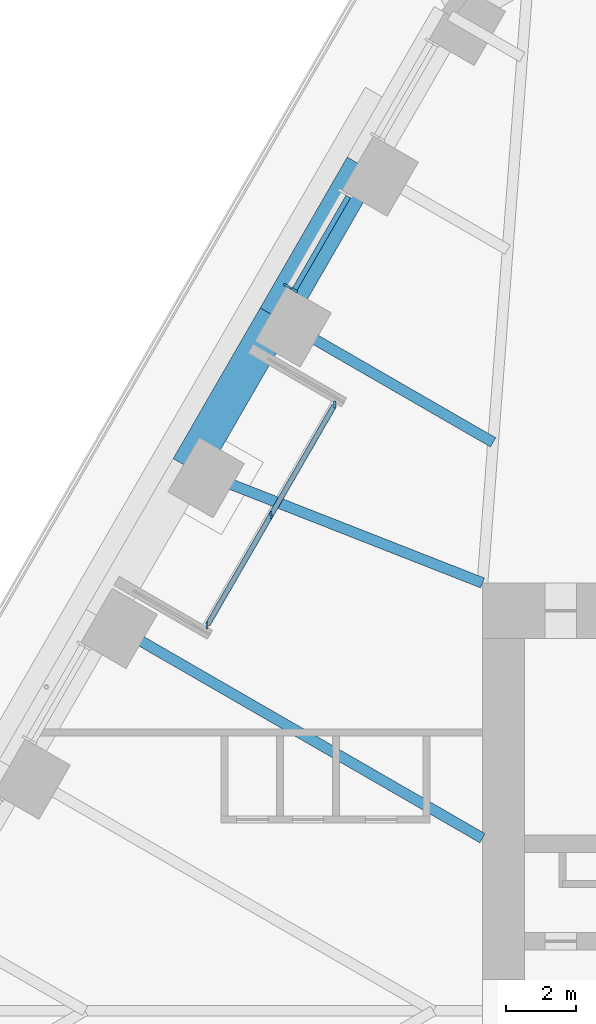
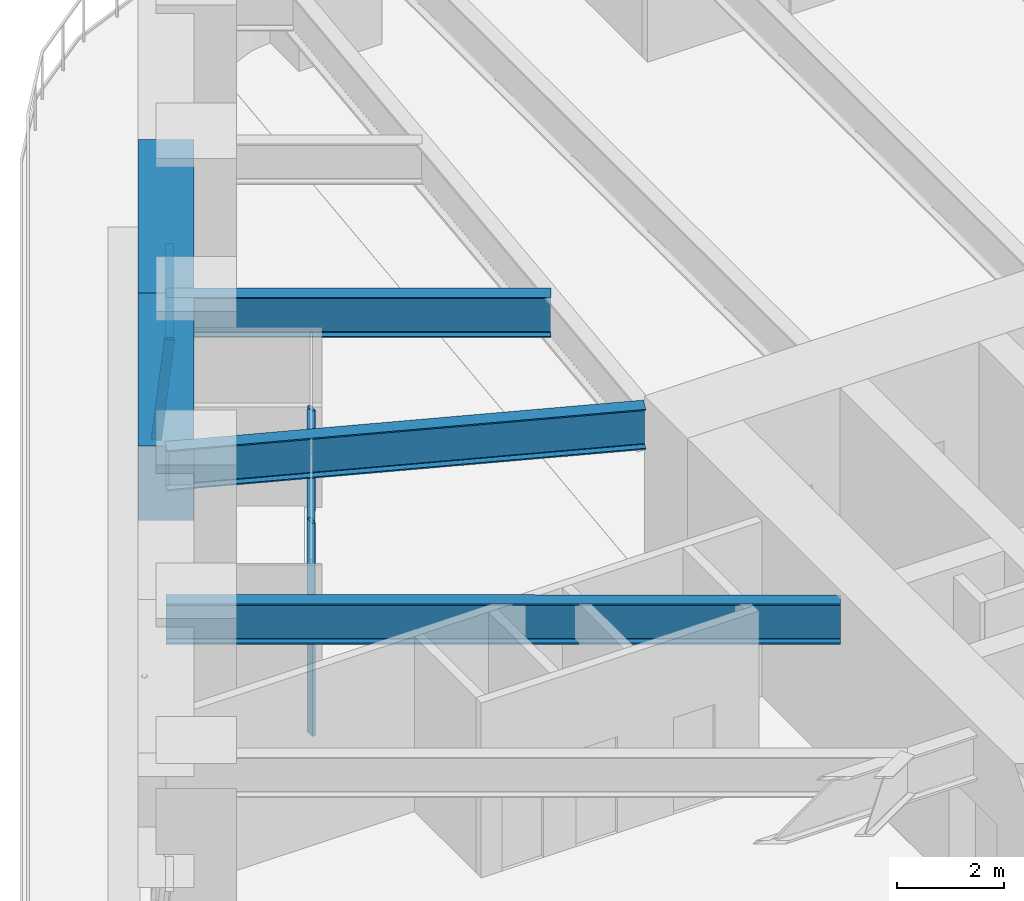
# One storey, part 8 of 24: 6 members, 5 beams, 2 elements without a shape of their own.
"""IFC4 building model written with IfcOpenShell, lengths in metres."""

from ifc_helpers import new_model, si_unit, direction, frame, origin, origin_2d, place, context, subcontext, project, spatial, rectangle, i_section, extrude, material, material_profile, profile_set, type_object, element, aggregate, save


model = new_model("IFC4")

# Units and contexts
model_context = context("Model", 3, precision=1e-05, world=origin(), true_north=direction((0.0, 1.0)))
body_context = subcontext(model_context, "Body", "Model", "MODEL_VIEW")
ifc_project = project(units=[si_unit("LENGTHUNIT", "METRE"), si_unit("AREAUNIT", "SQUARE_METRE"), si_unit("VOLUMEUNIT", "CUBIC_METRE"), si_unit("PLANEANGLEUNIT", "RADIAN"), si_unit("MASSUNIT", "GRAM", prefix="KILO")], contexts=[model_context])

# Site, building, storey
site_placement = place(None, origin())
site = spatial("IfcSite", under=ifc_project, at=site_placement, CompositionType="ELEMENT")
building_placement = place(site_placement, origin())
building = spatial("IfcBuilding", under=site, at=building_placement, Name="Tarfa Lantern Tower", CompositionType="ELEMENT")
storey_placement = place(building_placement, frame((0.0, 0.0, 127.89990234375)))
storey = spatial("IfcBuildingStorey", under=building, at=storey_placement, Name="L28", CompositionType="ELEMENT", Elevation=127.89990234375)

# Curtain wall, member
ifc_material_1 = material(Name="Aluminium framed curtain wall", Category="aluminium")
curtain_wall_type_1 = type_object("IfcCurtainWallType", Name="CW2 CANTED GLAZING MID ZONE 2300", PredefinedType="USERDEFINED", material=ifc_material_1)
curtain_wall_1_placement = place(storey_placement, origin())
curtain_wall_1 = element("IfcCurtainWall", 1, at=curtain_wall_1_placement, inside=storey, type_object=curtain_wall_type_1, Name="CW2 NW L28", ObjectType="CURTAIN WALL", PredefinedType="USERDEFINED")
ifc_material_2 = material(Name="Aluminium mullion", Category="aluminium")
ifc_material_profile_1 = material_profile(ifc_material_2, rectangle(XDim=0.06494140625, YDim=0.199951171875, at=origin_2d()), Name="AL MULLION 65x200")
ifc_profile_set_1 = profile_set([ifc_material_profile_1], Name="Aluminium mullion")
member_type_1 = type_object("IfcMemberType", Name="CWM1 MULLION 65x200", PredefinedType="MULLION", material=ifc_profile_set_1)
member_1_placement = place(storey_placement, frame((-24.22509765625, 20.8408203125, 0.0), z_axis=(0.093599904765, -0.0540283554, 0.994142844183), x_axis=(0.499919672301, 0.866071776036, 0.0)))
member_1 = element("IfcMember", 2, at=member_1_placement, type_object=member_type_1, Name="CW2 mullion 2", PredefinedType="MULLION", context=body_context, shape_type="SweptSolid", body=[
    extrude(rectangle(XDim=0.06494140625, YDim=0.199951171875, at=origin_2d()), origin(), (0.0, 0.0, 1.0), 2.313720703125),
])

# Curtain wall, members
curtain_wall_type_2 = type_object("IfcCurtainWallType", Name="CW10 LOGGIA GLAZING 2300", PredefinedType="USERDEFINED", material=ifc_material_1)
curtain_wall_2_placement = place(storey_placement, origin())
curtain_wall_2 = element("IfcCurtainWall", 3, at=curtain_wall_2_placement, inside=storey, type_object=curtain_wall_type_2, Name="CW10 NWL L28", ObjectType="CURTAIN WALL", PredefinedType="USERDEFINED")
member_2_placement = place(storey_placement, frame((-22.84619140625, 17.429443359375, 0.0), z_axis=(0.0, 0.0, 1.0), x_axis=(1.0, 0.0, 0.0)))
member_2 = element("IfcMember", 4, at=member_2_placement, type_object=member_type_1, Name="CW10 mullion 1", PredefinedType="MULLION", context=body_context, shape_type="SweptSolid", body=[
    extrude(rectangle(XDim=0.06494140625, YDim=0.199951171875, at=origin_2d()), origin(), (0.0, 0.0, 1.0), 2.300048828125),
])
member_3_placement = place(storey_placement, frame((-24.681640625, 14.25, 0.0), z_axis=(0.0, 0.0, 1.0), x_axis=(1.0, 0.0, 0.0)))
member_3 = element("IfcMember", 5, at=member_3_placement, type_object=member_type_1, Name="CW10 mullion 2", PredefinedType="MULLION", context=body_context, shape_type="SweptSolid", body=[
    extrude(rectangle(XDim=0.06494140625, YDim=0.199951171875, at=origin_2d()), origin(), (0.0, 0.0, 1.0), 2.300048828125),
])
member_4_placement = place(storey_placement, frame((-26.517333984375, 11.070556640625, 0.0), z_axis=(0.0, 0.0, 1.0), x_axis=(1.0, 0.0, 0.0)))
member_4 = element("IfcMember", 6, at=member_4_placement, type_object=member_type_1, Name="CW10 mullion 3", PredefinedType="MULLION", context=body_context, shape_type="SweptSolid", body=[
    extrude(rectangle(XDim=0.06494140625, YDim=0.199951171875, at=origin_2d()), origin(), (0.0, 0.0, 1.0), 2.300048828125),
])

# Member
ifc_material_3 = material(Name="Aluminium transom", Category="aluminium")
ifc_material_profile_2 = material_profile(ifc_material_3, rectangle(XDim=0.14990234375, YDim=0.06494140625, at=origin_2d()), Name="AL TRANSOM 150x65")
ifc_profile_set_2 = profile_set([ifc_material_profile_2], Name="Aluminium transom")
member_type_2 = type_object("IfcMemberType", Name="CWT1 TRANSOM 150x65", PredefinedType="USERDEFINED", material=ifc_profile_set_2)
member_5_placement = place(storey_placement, frame((-22.45849609375, 23.40771484375, 2.267578125), z_axis=(-0.500008936691, -0.866020244122, 0.0), x_axis=(0.866020244122, -0.500008936691, 0.0)))
member_5 = element("IfcMember", 7, at=member_5_placement, type_object=member_type_2, Name="CW2 transom 1.2", ObjectType="TRANSOM", PredefinedType="USERDEFINED", context=body_context, shape_type="SweptSolid", body=[
    extrude(rectangle(XDim=0.14990234375, YDim=0.06494140625, at=origin_2d()), origin(), (0.0, 0.0, 1.0), 3.07373046875),
])

aggregate(curtain_wall_1, [member_1, member_5])

member_6_placement = place(storey_placement, frame((-22.8623046875, 17.401123046875, 2.267578125), z_axis=(-0.500007048974, -0.866021334019, 0.0), x_axis=(0.866021334019, -0.500007048974, 0.0)))
member_6 = element("IfcMember", 8, at=member_6_placement, type_object=member_type_2, Name="CW10 transom 1.2", ObjectType="TRANSOM", PredefinedType="USERDEFINED", context=body_context, shape_type="SweptSolid", body=[
    extrude(rectangle(XDim=0.14990234375, YDim=0.06494140625, at=origin_2d()), origin(), (0.0, 0.0, 1.0), 7.27734375),
])

aggregate(curtain_wall_2, [member_2, member_3, member_4, member_6])

# Beams
ifc_material_4 = material(Name="Concrete C80/95", Category="concrete")
ifc_material_profile_3 = material_profile(ifc_material_4, rectangle(XDim=1.050048828125, YDim=1.699951171875, at=origin_2d()), Name="RC 1050x1700")
ifc_profile_set_3 = profile_set([ifc_material_profile_3], Name="Concrete C80/95")
beam_type_1 = type_object("IfcBeamType", Name="RB2 RC 1050x1700", PredefinedType="BEAM", material=ifc_profile_set_3)
for number, where, z_axis, x_axis, name in (
    (9, (-22.03369140625, 24.276611328125, 3.150146484375), (-0.49998573051, -0.866033642122, 0.0), (0.866033642122, -0.49998573051, 0.0), "Edge beam NW1"),
    (10, (-24.535400390625, 19.943359375, 3.150146484375), (-0.500022324899, -0.866012514114, 0.0), (0.866012514114, -0.500022324899, 0.0), "Edge beam NW2"),
):
    element("IfcBeam", number, at=place(storey_placement, frame(where, z_axis=z_axis, x_axis=x_axis)), inside=storey, type_object=beam_type_1, Name=name, PredefinedType="BEAM", context=body_context, shape_type="SweptSolid", body=[
        extrude(rectangle(XDim=1.050048828125, YDim=1.699951171875, at=origin_2d()), origin(), (0.0, 0.0, 1.0), 5.003662109375),
    ])
ifc_material_5 = material(Name="Steel S460M", Category="steel")
ifc_material_profile_4 = material_profile(ifc_material_5, i_section(OverallWidth=0.305419921875, OverallDepth=0.91845703125, WebThickness=0.017333984375, FlangeThickness=0.02783203125, FilletRadius=0.01904296875, at=origin_2d()), Name="UB914x305x253")
ifc_profile_set_4 = profile_set([ifc_material_profile_4], Name="Steel S460M")
beam_type_2 = type_object("IfcBeamType", Name="UB914x305x253", PredefinedType="BEAM", material=ifc_profile_set_4)
beam_1_placement = place(storey_placement, frame((-24.535400390625, 19.943359375, 3.541015625), z_axis=(0.86602647304, -0.499998147991, 0.0), x_axis=(0.499998147991, 0.86602647304, 0.0)))
element("IfcBeam", 11, at=beam_1_placement, inside=storey, type_object=beam_type_2, Name="Floor beam NW2", PredefinedType="BEAM", context=body_context, shape_type="SweptSolid", body=[
    extrude(i_section(OverallWidth=0.305419921875, OverallDepth=0.91845703125, WebThickness=0.017333984375, FlangeThickness=0.02783203125, FilletRadius=0.01904296875, at=origin_2d()), origin(), (0.0, 0.0, 1.0), 7.20556640625),
])
beam_2_placement = place(storey_placement, frame((-27.037353515625, 15.610107421875, 3.541015625), z_axis=(0.930923282782, -0.365214788274, 0.0), x_axis=(0.365214788274, 0.930923282782, 0.0)))
element("IfcBeam", 12, at=beam_2_placement, inside=storey, type_object=beam_type_2, Name="Floor beam NW3", PredefinedType="BEAM", context=body_context, shape_type="SweptSolid", body=[
    extrude(i_section(OverallWidth=0.305419921875, OverallDepth=0.91845703125, WebThickness=0.017333984375, FlangeThickness=0.02783203125, FilletRadius=0.01904296875, at=origin_2d()), origin(), (0.0, 0.0, 1.0), 9.063232421875),
])
beam_3_placement = place(storey_placement, frame((-29.5390625, 11.276611328125, 3.541015625), z_axis=(0.866023362995, -0.500003534735, 0.0), x_axis=(0.500003534735, 0.866023362995, 0.0)))
element("IfcBeam", 13, at=beam_3_placement, inside=storey, type_object=beam_type_2, Name="Floor beam NW4", PredefinedType="BEAM", context=body_context, shape_type="SweptSolid", body=[
    extrude(i_section(OverallWidth=0.305419921875, OverallDepth=0.91845703125, WebThickness=0.017333984375, FlangeThickness=0.02783203125, FilletRadius=0.01904296875, at=origin_2d()), origin(), (0.0, 0.0, 1.0), 12.63134765625),
])

save(model, "model.ifc")
